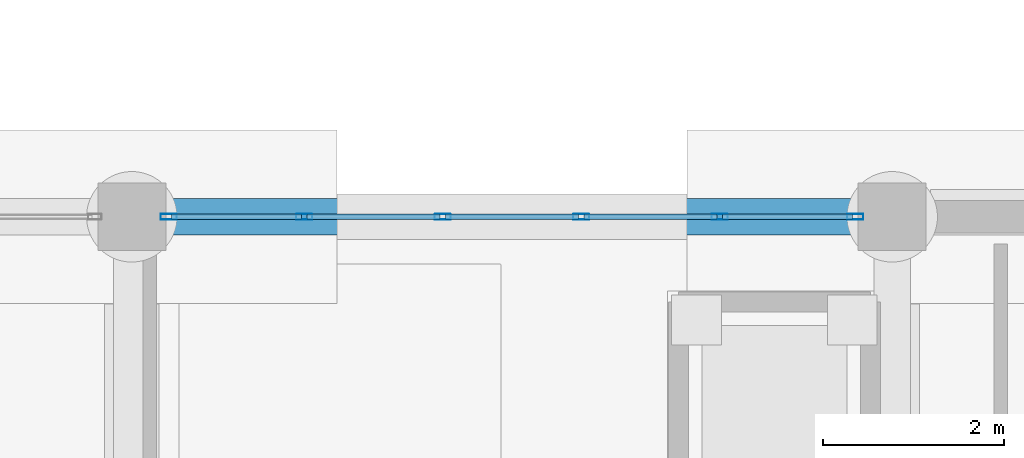
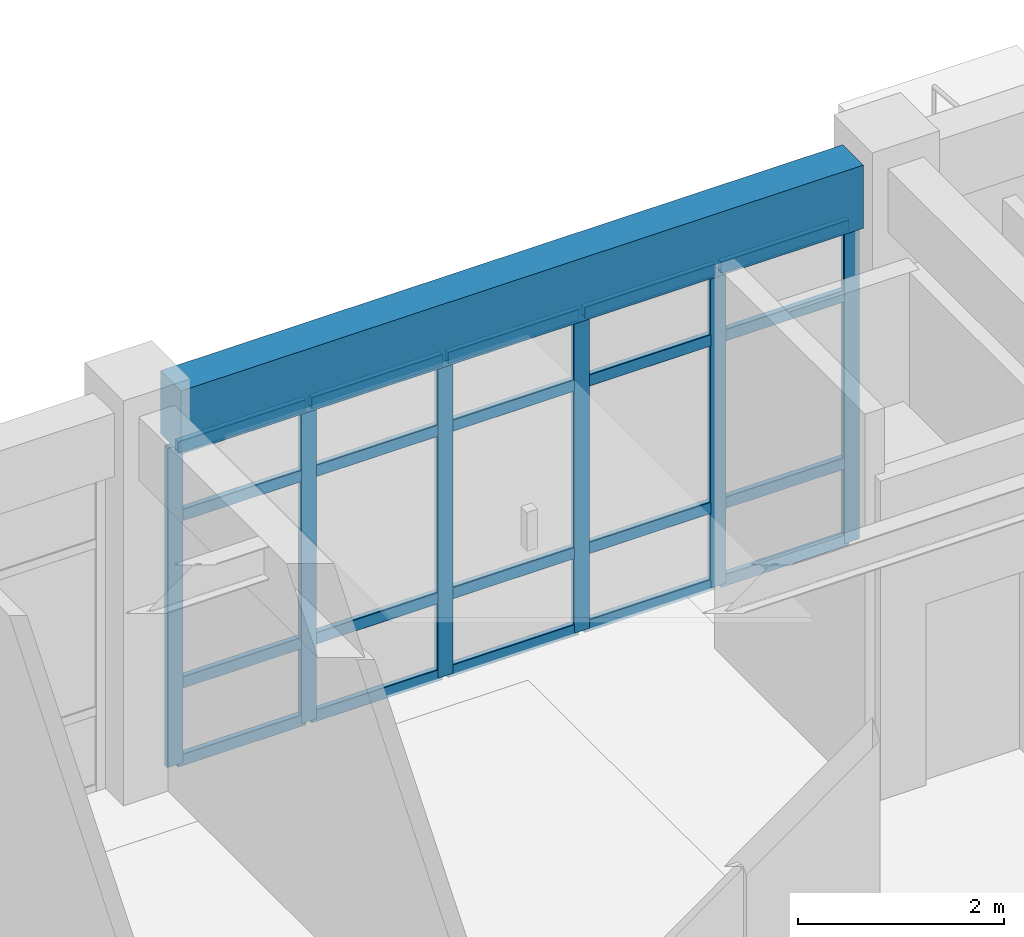
# One storey, part 10 of 29: 26 members, 1 beam, 1 element without a shape of its own.
"""IFC4 building model written with IfcOpenShell, lengths in metres."""

from ifc_helpers import new_model, si_unit, direction, frame, origin, origin_2d, place, context, subcontext, project, spatial, rectangle, hollow_rectangle, extrude, material, material_profile, profile_set, type_object, element, aggregate, save


model = new_model("IFC4")

# Units and contexts
model_context = context("Model", 3, precision=1e-05, world=origin(), true_north=direction((0.0, 1.0)))
body_context = subcontext(model_context, "Body", "Model", "MODEL_VIEW")
ifc_project = project(units=[si_unit("LENGTHUNIT", "METRE"), si_unit("AREAUNIT", "SQUARE_METRE"), si_unit("VOLUMEUNIT", "CUBIC_METRE"), si_unit("PLANEANGLEUNIT", "RADIAN"), si_unit("MASSUNIT", "GRAM", prefix="KILO")], contexts=[model_context])

# Site, building, storey
site_placement = place(None, origin())
site = spatial("IfcSite", under=ifc_project, at=site_placement, CompositionType="ELEMENT")
building_placement = place(site_placement, origin())
building = spatial("IfcBuilding", under=site, at=building_placement, Name="Canglan Escarpment Cableway Terminal", CompositionType="ELEMENT")
storey_placement = place(building_placement, origin())
storey = spatial("IfcBuildingStorey", under=building, at=storey_placement, Name="L00", CompositionType="ELEMENT", Elevation=0.0)

# Curtain wall, members
ifc_material_1 = material(Name="Anodized bronze aluminium and Low-E double glazing", Category="aluminium")
curtain_wall_type = type_object("IfcCurtainWallType", Name="CW-BAY-7650x3775", PredefinedType="NOTDEFINED", material=ifc_material_1)
curtain_wall_placement = place(storey_placement, origin())
curtain_wall = element("IfcCurtainWall", 1, at=curtain_wall_placement, inside=storey, type_object=curtain_wall_type, Name="Classical bay-between-piers glazed curtain wall CW-03", PredefinedType="NOTDEFINED")
ifc_material_2 = material(Name="Thermally broken anodized aluminium 6063-T6", Category="aluminium")
ifc_material_profile_1 = material_profile(ifc_material_2, hollow_rectangle(XDim=0.06494140625, YDim=0.179931640625, WallThickness=0.00390625, InnerFilletRadius=0.00390625, OuterFilletRadius=0.008056640625, at=origin_2d()), Name="ALU-MULL 65x180x4")
ifc_profile_set_1 = profile_set([ifc_material_profile_1], Name="Thermally broken anodized aluminium 6063-T6")
member_type_1 = type_object("IfcMemberType", Name="CWM-03", PredefinedType="MULLION", material=ifc_profile_set_1)
member_1_placement = place(storey_placement, frame((58.892578125, 24.800048828125, 0.0), z_axis=(0.0, 0.0, 1.0), x_axis=(0.0, -1.0, 0.0)))
member_1 = element("IfcMember", 2, at=member_1_placement, type_object=member_type_1, Name="CW-03 mullion 1", PredefinedType="MULLION", context=body_context, shape_type="SweptSolid", body=[
    extrude(hollow_rectangle(XDim=0.06494140625, YDim=0.179931640625, WallThickness=0.00390625, InnerFilletRadius=0.00390625, OuterFilletRadius=0.008056640625, at=origin_2d()), origin(), (0.0, 0.0, 1.0), 3.784912109375),
])
member_2_placement = place(storey_placement, frame((57.39501953125, 24.800048828125, 0.0), z_axis=(0.0, 0.0, 1.0), x_axis=(0.0, -1.0, 0.0)))
member_2 = element("IfcMember", 3, at=member_2_placement, type_object=member_type_1, Name="CW-03 mullion 2", PredefinedType="MULLION", context=body_context, shape_type="SweptSolid", body=[
    extrude(hollow_rectangle(XDim=0.06494140625, YDim=0.179931640625, WallThickness=0.00390625, InnerFilletRadius=0.00390625, OuterFilletRadius=0.008056640625, at=origin_2d()), origin(), (0.0, 0.0, 1.0), 3.784912109375),
])
member_3_placement = place(storey_placement, frame((55.864990234375, 24.800048828125, 0.0), z_axis=(0.0, 0.0, 1.0), x_axis=(0.0, -1.0, 0.0)))
member_3 = element("IfcMember", 4, at=member_3_placement, type_object=member_type_1, Name="CW-03 mullion 3", PredefinedType="MULLION", context=body_context, shape_type="SweptSolid", body=[
    extrude(hollow_rectangle(XDim=0.06494140625, YDim=0.179931640625, WallThickness=0.00390625, InnerFilletRadius=0.00390625, OuterFilletRadius=0.008056640625, at=origin_2d()), origin(), (0.0, 0.0, 1.0), 3.784912109375),
])
member_4_placement = place(storey_placement, frame((54.3349609375, 24.800048828125, 0.0), z_axis=(0.0, 0.0, 1.0), x_axis=(0.0, -1.0, 0.0)))
member_4 = element("IfcMember", 5, at=member_4_placement, type_object=member_type_1, Name="CW-03 mullion 4", PredefinedType="MULLION", context=body_context, shape_type="SweptSolid", body=[
    extrude(hollow_rectangle(XDim=0.06494140625, YDim=0.179931640625, WallThickness=0.00390625, InnerFilletRadius=0.00390625, OuterFilletRadius=0.008056640625, at=origin_2d()), origin(), (0.0, 0.0, 1.0), 3.784912109375),
])
member_5_placement = place(storey_placement, frame((52.804931640625, 24.800048828125, 0.0), z_axis=(0.0, 0.0, 1.0), x_axis=(0.0, -1.0, 0.0)))
member_5 = element("IfcMember", 6, at=member_5_placement, type_object=member_type_1, Name="CW-03 mullion 5", PredefinedType="MULLION", context=body_context, shape_type="SweptSolid", body=[
    extrude(hollow_rectangle(XDim=0.06494140625, YDim=0.179931640625, WallThickness=0.00390625, InnerFilletRadius=0.00390625, OuterFilletRadius=0.008056640625, at=origin_2d()), origin(), (0.0, 0.0, 1.0), 3.784912109375),
])
member_6_placement = place(storey_placement, frame((51.3076171875, 24.800048828125, 0.0), z_axis=(0.0, 0.0, 1.0), x_axis=(0.0, -1.0, 0.0)))
member_6 = element("IfcMember", 7, at=member_6_placement, type_object=member_type_1, Name="CW-03 mullion 6", PredefinedType="MULLION", context=body_context, shape_type="SweptSolid", body=[
    extrude(hollow_rectangle(XDim=0.06494140625, YDim=0.179931640625, WallThickness=0.00390625, InnerFilletRadius=0.00390625, OuterFilletRadius=0.008056640625, at=origin_2d()), origin(), (0.0, 0.0, 1.0), 3.784912109375),
])
ifc_material_profile_2 = material_profile(ifc_material_2, hollow_rectangle(XDim=0.06494140625, YDim=0.139892578125, WallThickness=0.00341796875, InnerFilletRadius=0.00341796875, OuterFilletRadius=0.007080078125, at=origin_2d()), Name="ALU-TRAN 65x140x3.5")
ifc_profile_set_2 = profile_set([ifc_material_profile_2], Name="Thermally broken anodized aluminium 6063-T6")
member_type_2 = type_object("IfcMemberType", Name="CWT-03", PredefinedType="USERDEFINED", material=ifc_profile_set_2)
member_7_placement = place(storey_placement, frame((58.860107421875, 24.800048828125, 0.032470703125), z_axis=(-1.0, 0.0, 0.0), x_axis=(0.0, -1.0, 0.0)))
member_7 = element("IfcMember", 8, at=member_7_placement, type_object=member_type_2, Name="CW-03 transom 1.1", ObjectType="TRANSOM", PredefinedType="USERDEFINED", context=body_context, shape_type="SweptSolid", body=[
    extrude(hollow_rectangle(XDim=0.06494140625, YDim=0.139892578125, WallThickness=0.00341796875, InnerFilletRadius=0.00341796875, OuterFilletRadius=0.007080078125, at=origin_2d()), origin(), (0.0, 0.0, 1.0), 1.4326171875),
])
member_8_placement = place(storey_placement, frame((58.860107421875, 24.800048828125, 0.949951171875), z_axis=(-1.0, 0.0, 0.0), x_axis=(0.0, -1.0, 0.0)))
member_8 = element("IfcMember", 9, at=member_8_placement, type_object=member_type_2, Name="CW-03 transom 1.2", ObjectType="TRANSOM", PredefinedType="USERDEFINED", context=body_context, shape_type="SweptSolid", body=[
    extrude(hollow_rectangle(XDim=0.06494140625, YDim=0.139892578125, WallThickness=0.00341796875, InnerFilletRadius=0.00341796875, OuterFilletRadius=0.007080078125, at=origin_2d()), origin(), (0.0, 0.0, 1.0), 1.4326171875),
])
member_9_placement = place(storey_placement, frame((58.860107421875, 24.800048828125, 2.93505859375), z_axis=(-1.0, 0.0, 0.0), x_axis=(0.0, -1.0, 0.0)))
member_9 = element("IfcMember", 10, at=member_9_placement, type_object=member_type_2, Name="CW-03 transom 1.3", ObjectType="TRANSOM", PredefinedType="USERDEFINED", context=body_context, shape_type="SweptSolid", body=[
    extrude(hollow_rectangle(XDim=0.06494140625, YDim=0.139892578125, WallThickness=0.00341796875, InnerFilletRadius=0.00341796875, OuterFilletRadius=0.007080078125, at=origin_2d()), origin(), (0.0, 0.0, 1.0), 1.4326171875),
])
member_10_placement = place(storey_placement, frame((58.860107421875, 24.800048828125, 3.75244140625), z_axis=(-1.0, 0.0, 0.0), x_axis=(0.0, -1.0, 0.0)))
member_10 = element("IfcMember", 11, at=member_10_placement, type_object=member_type_2, Name="CW-03 transom 1.4", ObjectType="TRANSOM", PredefinedType="USERDEFINED", context=body_context, shape_type="SweptSolid", body=[
    extrude(hollow_rectangle(XDim=0.06494140625, YDim=0.139892578125, WallThickness=0.00341796875, InnerFilletRadius=0.00341796875, OuterFilletRadius=0.007080078125, at=origin_2d()), origin(), (0.0, 0.0, 1.0), 1.4326171875),
])
member_11_placement = place(storey_placement, frame((57.362548828125, 24.800048828125, 0.032470703125), z_axis=(-1.0, 0.0, 0.0), x_axis=(0.0, -1.0, 0.0)))
member_11 = element("IfcMember", 12, at=member_11_placement, type_object=member_type_2, Name="CW-03 transom 2.1", ObjectType="TRANSOM", PredefinedType="USERDEFINED", context=body_context, shape_type="SweptSolid", body=[
    extrude(hollow_rectangle(XDim=0.06494140625, YDim=0.139892578125, WallThickness=0.00341796875, InnerFilletRadius=0.00341796875, OuterFilletRadius=0.007080078125, at=origin_2d()), origin(), (0.0, 0.0, 1.0), 1.465087890625),
])
member_12_placement = place(storey_placement, frame((57.362548828125, 24.800048828125, 0.949951171875), z_axis=(-1.0, 0.0, 0.0), x_axis=(0.0, -1.0, 0.0)))
member_12 = element("IfcMember", 13, at=member_12_placement, type_object=member_type_2, Name="CW-03 transom 2.2", ObjectType="TRANSOM", PredefinedType="USERDEFINED", context=body_context, shape_type="SweptSolid", body=[
    extrude(hollow_rectangle(XDim=0.06494140625, YDim=0.139892578125, WallThickness=0.00341796875, InnerFilletRadius=0.00341796875, OuterFilletRadius=0.007080078125, at=origin_2d()), origin(), (0.0, 0.0, 1.0), 1.465087890625),
])
member_13_placement = place(storey_placement, frame((57.362548828125, 24.800048828125, 2.93505859375), z_axis=(-1.0, 0.0, 0.0), x_axis=(0.0, -1.0, 0.0)))
member_13 = element("IfcMember", 14, at=member_13_placement, type_object=member_type_2, Name="CW-03 transom 2.3", ObjectType="TRANSOM", PredefinedType="USERDEFINED", context=body_context, shape_type="SweptSolid", body=[
    extrude(hollow_rectangle(XDim=0.06494140625, YDim=0.139892578125, WallThickness=0.00341796875, InnerFilletRadius=0.00341796875, OuterFilletRadius=0.007080078125, at=origin_2d()), origin(), (0.0, 0.0, 1.0), 1.465087890625),
])
member_14_placement = place(storey_placement, frame((57.362548828125, 24.800048828125, 3.75244140625), z_axis=(-1.0, 0.0, 0.0), x_axis=(0.0, -1.0, 0.0)))
member_14 = element("IfcMember", 15, at=member_14_placement, type_object=member_type_2, Name="CW-03 transom 2.4", ObjectType="TRANSOM", PredefinedType="USERDEFINED", context=body_context, shape_type="SweptSolid", body=[
    extrude(hollow_rectangle(XDim=0.06494140625, YDim=0.139892578125, WallThickness=0.00341796875, InnerFilletRadius=0.00341796875, OuterFilletRadius=0.007080078125, at=origin_2d()), origin(), (0.0, 0.0, 1.0), 1.465087890625),
])
member_15_placement = place(storey_placement, frame((55.83251953125, 24.800048828125, 0.032470703125), z_axis=(-1.0, 0.0, 0.0), x_axis=(0.0, -1.0, 0.0)))
member_15 = element("IfcMember", 16, at=member_15_placement, type_object=member_type_2, Name="CW-03 transom 3.1", ObjectType="TRANSOM", PredefinedType="USERDEFINED", context=body_context, shape_type="SweptSolid", body=[
    extrude(hollow_rectangle(XDim=0.06494140625, YDim=0.139892578125, WallThickness=0.00341796875, InnerFilletRadius=0.00341796875, OuterFilletRadius=0.007080078125, at=origin_2d()), origin(), (0.0, 0.0, 1.0), 1.465087890625),
])
member_16_placement = place(storey_placement, frame((55.83251953125, 24.800048828125, 0.949951171875), z_axis=(-1.0, 0.0, 0.0), x_axis=(0.0, -1.0, 0.0)))
member_16 = element("IfcMember", 17, at=member_16_placement, type_object=member_type_2, Name="CW-03 transom 3.2", ObjectType="TRANSOM", PredefinedType="USERDEFINED", context=body_context, shape_type="SweptSolid", body=[
    extrude(hollow_rectangle(XDim=0.06494140625, YDim=0.139892578125, WallThickness=0.00341796875, InnerFilletRadius=0.00341796875, OuterFilletRadius=0.007080078125, at=origin_2d()), origin(), (0.0, 0.0, 1.0), 1.465087890625),
])
member_17_placement = place(storey_placement, frame((55.83251953125, 24.800048828125, 2.93505859375), z_axis=(-1.0, 0.0, 0.0), x_axis=(0.0, -1.0, 0.0)))
member_17 = element("IfcMember", 18, at=member_17_placement, type_object=member_type_2, Name="CW-03 transom 3.3", ObjectType="TRANSOM", PredefinedType="USERDEFINED", context=body_context, shape_type="SweptSolid", body=[
    extrude(hollow_rectangle(XDim=0.06494140625, YDim=0.139892578125, WallThickness=0.00341796875, InnerFilletRadius=0.00341796875, OuterFilletRadius=0.007080078125, at=origin_2d()), origin(), (0.0, 0.0, 1.0), 1.465087890625),
])
member_18_placement = place(storey_placement, frame((55.83251953125, 24.800048828125, 3.75244140625), z_axis=(-1.0, 0.0, 0.0), x_axis=(0.0, -1.0, 0.0)))
member_18 = element("IfcMember", 19, at=member_18_placement, type_object=member_type_2, Name="CW-03 transom 3.4", ObjectType="TRANSOM", PredefinedType="USERDEFINED", context=body_context, shape_type="SweptSolid", body=[
    extrude(hollow_rectangle(XDim=0.06494140625, YDim=0.139892578125, WallThickness=0.00341796875, InnerFilletRadius=0.00341796875, OuterFilletRadius=0.007080078125, at=origin_2d()), origin(), (0.0, 0.0, 1.0), 1.465087890625),
])
member_19_placement = place(storey_placement, frame((54.302490234375, 24.800048828125, 0.032470703125), z_axis=(-1.0, 0.0, 0.0), x_axis=(0.0, -1.0, 0.0)))
member_19 = element("IfcMember", 20, at=member_19_placement, type_object=member_type_2, Name="CW-03 transom 4.1", ObjectType="TRANSOM", PredefinedType="USERDEFINED", context=body_context, shape_type="SweptSolid", body=[
    extrude(hollow_rectangle(XDim=0.06494140625, YDim=0.139892578125, WallThickness=0.00341796875, InnerFilletRadius=0.00341796875, OuterFilletRadius=0.007080078125, at=origin_2d()), origin(), (0.0, 0.0, 1.0), 1.465087890625),
])
member_20_placement = place(storey_placement, frame((54.302490234375, 24.800048828125, 0.949951171875), z_axis=(-1.0, 0.0, 0.0), x_axis=(0.0, -1.0, 0.0)))
member_20 = element("IfcMember", 21, at=member_20_placement, type_object=member_type_2, Name="CW-03 transom 4.2", ObjectType="TRANSOM", PredefinedType="USERDEFINED", context=body_context, shape_type="SweptSolid", body=[
    extrude(hollow_rectangle(XDim=0.06494140625, YDim=0.139892578125, WallThickness=0.00341796875, InnerFilletRadius=0.00341796875, OuterFilletRadius=0.007080078125, at=origin_2d()), origin(), (0.0, 0.0, 1.0), 1.465087890625),
])
member_21_placement = place(storey_placement, frame((54.302490234375, 24.800048828125, 2.93505859375), z_axis=(-1.0, 0.0, 0.0), x_axis=(0.0, -1.0, 0.0)))
member_21 = element("IfcMember", 22, at=member_21_placement, type_object=member_type_2, Name="CW-03 transom 4.3", ObjectType="TRANSOM", PredefinedType="USERDEFINED", context=body_context, shape_type="SweptSolid", body=[
    extrude(hollow_rectangle(XDim=0.06494140625, YDim=0.139892578125, WallThickness=0.00341796875, InnerFilletRadius=0.00341796875, OuterFilletRadius=0.007080078125, at=origin_2d()), origin(), (0.0, 0.0, 1.0), 1.465087890625),
])
member_22_placement = place(storey_placement, frame((54.302490234375, 24.800048828125, 3.75244140625), z_axis=(-1.0, 0.0, 0.0), x_axis=(0.0, -1.0, 0.0)))
member_22 = element("IfcMember", 23, at=member_22_placement, type_object=member_type_2, Name="CW-03 transom 4.4", ObjectType="TRANSOM", PredefinedType="USERDEFINED", context=body_context, shape_type="SweptSolid", body=[
    extrude(hollow_rectangle(XDim=0.06494140625, YDim=0.139892578125, WallThickness=0.00341796875, InnerFilletRadius=0.00341796875, OuterFilletRadius=0.007080078125, at=origin_2d()), origin(), (0.0, 0.0, 1.0), 1.465087890625),
])
member_23_placement = place(storey_placement, frame((52.7724609375, 24.800048828125, 0.032470703125), z_axis=(-1.0, 0.0, 0.0), x_axis=(0.0, -1.0, 0.0)))
member_23 = element("IfcMember", 24, at=member_23_placement, type_object=member_type_2, Name="CW-03 transom 5.1", ObjectType="TRANSOM", PredefinedType="USERDEFINED", context=body_context, shape_type="SweptSolid", body=[
    extrude(hollow_rectangle(XDim=0.06494140625, YDim=0.139892578125, WallThickness=0.00341796875, InnerFilletRadius=0.00341796875, OuterFilletRadius=0.007080078125, at=origin_2d()), origin(), (0.0, 0.0, 1.0), 1.432373046875),
])
member_24_placement = place(storey_placement, frame((52.7724609375, 24.800048828125, 0.949951171875), z_axis=(-1.0, 0.0, 0.0), x_axis=(0.0, -1.0, 0.0)))
member_24 = element("IfcMember", 25, at=member_24_placement, type_object=member_type_2, Name="CW-03 transom 5.2", ObjectType="TRANSOM", PredefinedType="USERDEFINED", context=body_context, shape_type="SweptSolid", body=[
    extrude(hollow_rectangle(XDim=0.06494140625, YDim=0.139892578125, WallThickness=0.00341796875, InnerFilletRadius=0.00341796875, OuterFilletRadius=0.007080078125, at=origin_2d()), origin(), (0.0, 0.0, 1.0), 1.432373046875),
])
member_25_placement = place(storey_placement, frame((52.7724609375, 24.800048828125, 2.93505859375), z_axis=(-1.0, 0.0, 0.0), x_axis=(0.0, -1.0, 0.0)))
member_25 = element("IfcMember", 26, at=member_25_placement, type_object=member_type_2, Name="CW-03 transom 5.3", ObjectType="TRANSOM", PredefinedType="USERDEFINED", context=body_context, shape_type="SweptSolid", body=[
    extrude(hollow_rectangle(XDim=0.06494140625, YDim=0.139892578125, WallThickness=0.00341796875, InnerFilletRadius=0.00341796875, OuterFilletRadius=0.007080078125, at=origin_2d()), origin(), (0.0, 0.0, 1.0), 1.432373046875),
])
member_26_placement = place(storey_placement, frame((52.7724609375, 24.800048828125, 3.75244140625), z_axis=(-1.0, 0.0, 0.0), x_axis=(0.0, -1.0, 0.0)))
member_26 = element("IfcMember", 27, at=member_26_placement, type_object=member_type_2, Name="CW-03 transom 5.4", ObjectType="TRANSOM", PredefinedType="USERDEFINED", context=body_context, shape_type="SweptSolid", body=[
    extrude(hollow_rectangle(XDim=0.06494140625, YDim=0.139892578125, WallThickness=0.00341796875, InnerFilletRadius=0.00341796875, OuterFilletRadius=0.007080078125, at=origin_2d()), origin(), (0.0, 0.0, 1.0), 1.432373046875),
])
aggregate(curtain_wall, [member_1, member_2, member_3, member_4, member_5, member_6, member_7, member_8, member_9, member_10, member_11, member_12, member_13, member_14, member_15, member_16, member_17, member_18, member_19, member_20, member_21, member_22, member_23, member_24, member_25, member_26])

# Beam
ifc_material_3 = material(Name="Concrete C40", Category="concrete")
ifc_material_profile_3 = material_profile(ifc_material_3, rectangle(XDim=0.39990234375, YDim=0.75, at=origin_2d()), Name="RC 400x750")
ifc_profile_set_3 = profile_set([ifc_material_profile_3], Name="Concrete C40")
beam_type = type_object("IfcBeamType", Name="SP-RC400x750", PredefinedType="SPANDREL", material=ifc_profile_set_3)
beam_placement = place(storey_placement, frame((51.27490234375, 24.800048828125, 4.175048828125), z_axis=(1.0, 0.0, 0.0), x_axis=(0.0, 1.0, 0.0)))
element("IfcBeam", 28, at=beam_placement, inside=storey, type_object=beam_type, Name="Primary structural girder SP-01", PredefinedType="SPANDREL", context=body_context, shape_type="SweptSolid", body=[
    extrude(rectangle(XDim=0.39990234375, YDim=0.75, at=origin_2d()), origin(), (0.0, 0.0, 1.0), 7.650146484375),
])

save(model, "model.ifc")
